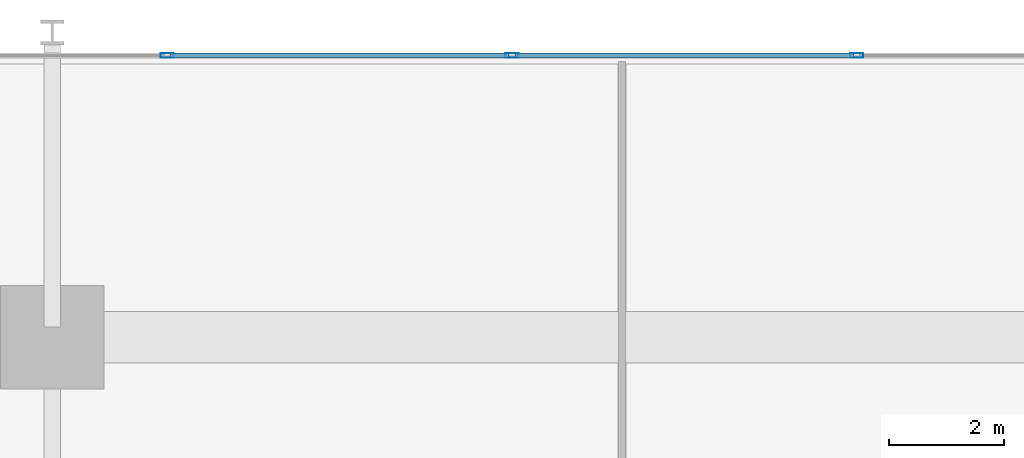
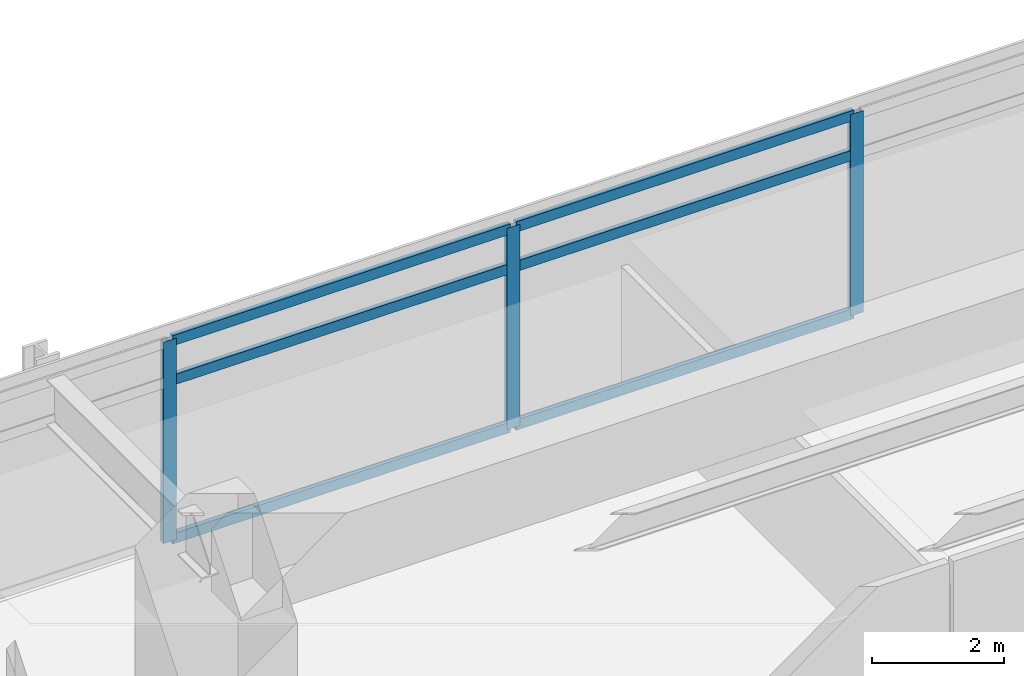
# One storey, part 10 of 21: 9 members, 1 element without a shape of its own.
"""IFC4 building model written with IfcOpenShell, lengths in metres."""

import ifcopenshell
import ifcopenshell.guid

model = None  # the IFC model being written
_history = None  # IfcOwnerHistory: only IFC2X3 demands one
_inside = {}  # id of a spatial element -> (the spatial element, [elements in it])
_under = {}  # id of a project, library or spatial element -> (it, [spatial elements below it])
_declared = {}  # id of a project -> (the project, [libraries it declares])
_typed = {}  # id of a type object -> (the type object, [elements of that type])
_made_of = {}  # id of a material, layer set ... -> (it, [elements and type objects made of it])


def new_model(schema):
    """Start an empty IFC model of exactly this schema.

    Asked for "IFC4X3", IfcOpenShell would pick the latest addendum, in which some entities
    have other attributes; the version numbers below select the first issue.
    IFC2X3 requires an IfcOwnerHistory on every rooted entity: one is made here for all.
    """
    global model, _history
    if schema == "IFC4X3":
        model = ifcopenshell.file(schema_version=(4, 3, 0, 0))
    else:
        model = ifcopenshell.file(schema=schema)
    _inside.clear()
    _under.clear()
    _declared.clear()
    _typed.clear()
    _made_of.clear()
    _history = None
    if model.schema == "IFC2X3":
        org = make("IfcOrganization", Name="unknown")
        user = make(
            "IfcPersonAndOrganization",
            ThePerson=make("IfcPerson", FamilyName="unknown"),
            TheOrganization=org,
        )
        app = make(
            "IfcApplication",
            ApplicationDeveloper=org,
            Version="unknown",
            ApplicationFullName="unknown",
            ApplicationIdentifier="unknown",
        )
        _history = make(
            "IfcOwnerHistory",
            OwningUser=user,
            OwningApplication=app,
            ChangeAction="ADDED",
            CreationDate=0,
        )
    return model


def make(cls, **values):
    """One entity of the class cls with the attributes given. An attribute that is None is left unset."""
    return model.create_entity(
        cls, **{name: value for name, value in values.items() if value is not None}
    )


def rooted(cls, **values):
    """An entity with a GlobalId (a new one), such as an element, a storey or a relation."""
    return make(cls, GlobalId=ifcopenshell.guid.new(), OwnerHistory=_history, **values)


def si_unit(unit_type, name, prefix=None):
    """IfcSIUnit, for example si_unit("LENGTHUNIT", "METRE", prefix="MILLI")."""
    return make("IfcSIUnit", UnitType=unit_type, Prefix=prefix, Name=name)


def assignment(units):
    """IfcUnitAssignment: the units of a project."""
    return None if units is None else make("IfcUnitAssignment", Units=units)


def point(xyz):
    """IfcCartesianPoint."""
    return None if xyz is None else make("IfcCartesianPoint", Coordinates=xyz)


def direction(xyz):
    """IfcDirection."""
    return None if xyz is None else make("IfcDirection", DirectionRatios=xyz)


def frame(location, z_axis=None, x_axis=None):
    """IfcAxis2Placement3D, a coordinate frame: its origin and axes. An axis left out is left unset."""
    return make(
        "IfcAxis2Placement3D",
        Location=point(location),
        Axis=direction(z_axis),
        RefDirection=direction(x_axis),
    )


def frame_2d(location, x_axis=None):
    """IfcAxis2Placement2D, a coordinate frame in the plane: its origin and x axis."""
    return make(
        "IfcAxis2Placement2D", Location=point(location), RefDirection=direction(x_axis)
    )


def origin():
    """The frame at (0, 0, 0) with its axes left unset."""
    return frame((0.0, 0.0, 0.0))


def origin_2d():
    """The frame at (0, 0) in the plane with its x axis left unset."""
    return frame_2d((0.0, 0.0))


def place(relative_to, where):
    """IfcLocalPlacement: puts the frame where relative to a parent placement (None: the world)."""
    return make(
        "IfcLocalPlacement", PlacementRelTo=relative_to, RelativePlacement=where
    )


def context(
    kind, dimensions, precision=None, world=None, true_north=None, identifier=None
):
    """IfcGeometricRepresentationContext, for example the 3D "Model" context."""
    return make(
        "IfcGeometricRepresentationContext",
        ContextIdentifier=identifier,
        ContextType=kind,
        CoordinateSpaceDimension=dimensions,
        Precision=precision,
        WorldCoordinateSystem=world,
        TrueNorth=true_north,
    )


def subcontext(parent, identifier, kind, view, scale=None):
    """IfcGeometricRepresentationSubContext, for example "Body" below "Model"."""
    return make(
        "IfcGeometricRepresentationSubContext",
        ContextIdentifier=identifier,
        ContextType=kind,
        ParentContext=parent,
        TargetScale=scale,
        TargetView=view,
    )


def project(units=None, contexts=None):
    """IfcProject with its units and contexts."""
    return rooted(
        "IfcProject",
        Name="project",
        RepresentationContexts=contexts,
        UnitsInContext=assignment(units),
    )


def spatial(cls, under=None, at=None, **own):
    """A site, building, storey or space (cls), placed at a placement, below another one or the project."""
    s = rooted(cls, ObjectPlacement=at, **own)
    if under is not None:
        _under.setdefault(under.id(), (under, []))[1].append(s)
    return s


def profile(cls, at=None, kind="AREA", **sizes):
    """A parametric profile (cls). Its sizes go by their IFC names, for example OverallWidth=200.0."""
    return make(cls, ProfileType=kind, Position=at, **sizes)


def hollow_rectangle(**sizes):
    """IfcRectangleHollowProfileDef."""
    return profile("IfcRectangleHollowProfileDef", **sizes)


def extrude(swept, where, along, depth):
    """IfcExtrudedAreaSolid: the profile swept, set in the frame where, extruded along a direction by depth."""
    return make(
        "IfcExtrudedAreaSolid",
        SweptArea=swept,
        Position=where,
        ExtrudedDirection=direction(along),
        Depth=depth,
    )


def shape(context_of_items, identifier, shape_type, items):
    """IfcShapeRepresentation: the items that make up one representation, for example the "Body"."""
    return make(
        "IfcShapeRepresentation",
        ContextOfItems=context_of_items,
        RepresentationIdentifier=identifier,
        RepresentationType=shape_type,
        Items=items,
    )


def material(Name=None, Category=None):
    """IfcMaterial."""
    return make("IfcMaterial", Name=Name, Category=Category)


def material_profile(
    of_material, cross_section, Name=None, Category=None, Priority=None
):
    """IfcMaterialProfile: a cross section and its material."""
    return make(
        "IfcMaterialProfile",
        Name=Name,
        Material=of_material,
        Profile=cross_section,
        Priority=Priority,
        Category=Category,
    )


def profile_set(profiles, Name=None, composite=None):
    """IfcMaterialProfileSet."""
    return make(
        "IfcMaterialProfileSet",
        Name=Name,
        MaterialProfiles=profiles,
        CompositeProfile=composite,
    )


def made_of(thing, what):
    """Note that an element or type object is made of a material, layer set ...; save() writes the relation."""
    if what is not None:
        _made_of.setdefault(what.id(), (what, []))[1].append(thing)
    return thing


def type_object(cls, material=None, **own):
    """A type object (cls), such as IfcWallType, which elements share."""
    return made_of(rooted(cls, **own), material)


def element(
    cls,
    number,
    at=None,
    inside=None,
    cuts=None,
    type_object=None,
    material=None,
    context=None,
    identifier="Body",
    shape_type=None,
    held_by="IfcProductDefinitionShape",
    body=None,
    shapes=None,
    **own,
):
    """One element of the class cls, such as IfcWall. Its Tag is "e" and its number.

    at: its placement. inside: the storey or other place that contains it. cuts: it is an
    opening in that element (IfcRelVoidsElement). A single representation is given by context,
    identifier, shape_type and body (its items); several are given by shapes. held_by: the class
    of the entity that holds the representations. save() writes the other relations.
    """
    e = rooted(cls, Tag="e%d" % number, ObjectPlacement=at, **own)
    if body is not None:
        shapes = [shape(context, identifier, shape_type, body)]
    if shapes is not None:
        e.Representation = make(held_by, Representations=shapes)
    if inside is not None:
        _inside.setdefault(inside.id(), (inside, []))[1].append(e)
    if cuts is not None:
        rooted(
            "IfcRelVoidsElement", RelatingBuildingElement=cuts, RelatedOpeningElement=e
        )
    if type_object is not None:
        _typed.setdefault(type_object.id(), (type_object, []))[1].append(e)
    return made_of(e, material)


def aggregate(whole, parts):
    """IfcRelAggregates: a whole, such as a stair, and the parts it consists of."""
    return rooted("IfcRelAggregates", RelatingObject=whole, RelatedObjects=parts)


def save(model, path):
    """Write the relations noted so far, then the file.

    IfcRelAggregates (storeys below a building ...), IfcRelContainedInSpatialStructure (elements
    in a storey), IfcRelDefinesByType, IfcRelAssociatesMaterial and IfcRelDeclares: one each for
    every whole, place, type object, material and project.
    """
    for whole, parts in _under.values():
        aggregate(whole, parts)
    for where, things in _inside.values():
        rooted(
            "IfcRelContainedInSpatialStructure",
            RelatedElements=things,
            RelatingStructure=where,
        )
    for kind, things in _typed.values():
        rooted("IfcRelDefinesByType", RelatedObjects=things, RelatingType=kind)
    for what, things in _made_of.values():
        rooted("IfcRelAssociatesMaterial", RelatedObjects=things, RelatingMaterial=what)
    for by, libraries in _declared.values():
        rooted("IfcRelDeclares", RelatingContext=by, RelatedDefinitions=libraries)
    model.write(path)


model = new_model("IFC4")

# Units and contexts
model_context = context("Model", 3, precision=1e-05, world=origin(), true_north=direction((0.0, 1.0)))
body_context = subcontext(model_context, "Body", "Model", "MODEL_VIEW")
ifc_project = project(units=[si_unit("LENGTHUNIT", "METRE"), si_unit("AREAUNIT", "SQUARE_METRE"), si_unit("VOLUMEUNIT", "CUBIC_METRE"), si_unit("PLANEANGLEUNIT", "RADIAN"), si_unit("MASSUNIT", "GRAM", prefix="KILO")], contexts=[model_context])

# Site, building, storey
site_placement = place(None, origin())
site = spatial("IfcSite", under=ifc_project, at=site_placement, CompositionType="ELEMENT")
building_placement = place(site_placement, origin())
building = spatial("IfcBuilding", under=site, at=building_placement, Name="Kovane Verandah Tower", CompositionType="ELEMENT")
storey_placement = place(building_placement, frame((0.0, 0.0, 27.60009765625)))
storey = spatial("IfcBuildingStorey", under=building, at=storey_placement, Name="L05", CompositionType="ELEMENT", Elevation=27.60009765625)

# Curtain wall, members
ifc_material_1 = material(Name="Champagne Anodised Aluminium Frame with Low-E Clear Laminated Glass", Category="aluminium")
curtain_wall_type = type_object("IfcCurtainWallType", Name="CW-SYS-02-LOW", PredefinedType="NOTDEFINED", material=ifc_material_1)
curtain_wall_placement = place(storey_placement, origin())
curtain_wall = element("IfcCurtainWall", 1, at=curtain_wall_placement, inside=storey, type_object=curtain_wall_type, Name="L05 N Unitised Curtain Wall", PredefinedType="NOTDEFINED")
ifc_material_2 = material(Name="Champagne Anodised Aluminium 6063-T6", Category="aluminium")
ifc_material_profile_1 = material_profile(ifc_material_2, hollow_rectangle(XDim=0.0849609375, YDim=0.22998046875, WallThickness=0.00390625, at=origin_2d()), Name="AL85x230x4")
ifc_profile_set_1 = profile_set([ifc_material_profile_1], Name="Champagne Anodised Aluminium 6063-T6")
member_type_1 = type_object("IfcMemberType", Name="CW-MUL-85x230", PredefinedType="MULLION", material=ifc_profile_set_1)
member_1_placement = place(storey_placement, frame((43.0, 49.10009765625, 0.02001953125), z_axis=(0.0, 0.0, 1.0), x_axis=(0.0, 1.0, 0.0)))
member_1 = element("IfcMember", 2, at=member_1_placement, type_object=member_type_1, Name="L05 N Unitised Curtain Wall Mullion 4", PredefinedType="MULLION", context=body_context, shape_type="SweptSolid", body=[
    extrude(hollow_rectangle(XDim=0.0849609375, YDim=0.22998046875, WallThickness=0.00390625, at=origin_2d()), origin(), (0.0, 0.0, 1.0), 3.719970703125),
])
member_2_placement = place(storey_placement, frame((37.0, 49.10009765625, 0.02001953125), z_axis=(0.0, 0.0, 1.0), x_axis=(0.0, 1.0, 0.0)))
member_2 = element("IfcMember", 3, at=member_2_placement, type_object=member_type_1, Name="L05 N Unitised Curtain Wall Mullion 5", PredefinedType="MULLION", context=body_context, shape_type="SweptSolid", body=[
    extrude(hollow_rectangle(XDim=0.0849609375, YDim=0.22998046875, WallThickness=0.00390625, at=origin_2d()), origin(), (0.0, 0.0, 1.0), 3.719970703125),
])
member_3_placement = place(storey_placement, frame((31.0, 49.10009765625, 0.02001953125), z_axis=(0.0, 0.0, 1.0), x_axis=(0.0, 1.0, 0.0)))
member_3 = element("IfcMember", 4, at=member_3_placement, type_object=member_type_1, Name="L05 N Unitised Curtain Wall Mullion 6", PredefinedType="MULLION", context=body_context, shape_type="SweptSolid", body=[
    extrude(hollow_rectangle(XDim=0.0849609375, YDim=0.22998046875, WallThickness=0.00390625, at=origin_2d()), origin(), (0.0, 0.0, 1.0), 3.719970703125),
])
ifc_material_profile_2 = material_profile(ifc_material_2, hollow_rectangle(XDim=0.0849609375, YDim=0.18994140625, WallThickness=0.00390625, at=origin_2d()), Name="AL85x190x4")
ifc_profile_set_2 = profile_set([ifc_material_profile_2], Name="Champagne Anodised Aluminium 6063-T6")
member_type_2 = type_object("IfcMemberType", Name="CW-TRN-85x190", PredefinedType="USERDEFINED", material=ifc_profile_set_2)
member_4_placement = place(storey_placement, frame((42.949951171875, 49.10009765625, 0.0498046875), z_axis=(-1.0, 0.0, 0.0), x_axis=(0.0, -1.0, 0.0)))
member_4 = element("IfcMember", 5, at=member_4_placement, type_object=member_type_2, Name="L05 N Unitised Curtain Wall Transom TB Bay 4", ObjectType="TRANSOM", PredefinedType="USERDEFINED", context=body_context, shape_type="SweptSolid", body=[
    extrude(hollow_rectangle(XDim=0.0849609375, YDim=0.18994140625, WallThickness=0.00390625, at=origin_2d()), origin(), (0.0, 0.0, 1.0), 5.89990234375),
])
member_5_placement = place(storey_placement, frame((42.949951171875, 49.10009765625, 2.97998046875), z_axis=(-1.0, 0.0, 0.0), x_axis=(0.0, -1.0, 0.0)))
member_5 = element("IfcMember", 6, at=member_5_placement, type_object=member_type_2, Name="L05 N Unitised Curtain Wall Transom TM Bay 4", ObjectType="TRANSOM", PredefinedType="USERDEFINED", context=body_context, shape_type="SweptSolid", body=[
    extrude(hollow_rectangle(XDim=0.0849609375, YDim=0.18994140625, WallThickness=0.00390625, at=origin_2d()), origin(), (0.0, 0.0, 1.0), 5.89990234375),
])
member_6_placement = place(storey_placement, frame((42.949951171875, 49.10009765625, 3.7099609375), z_axis=(-1.0, 0.0, 0.0), x_axis=(0.0, -1.0, 0.0)))
member_6 = element("IfcMember", 7, at=member_6_placement, type_object=member_type_2, Name="L05 N Unitised Curtain Wall Transom TT Bay 4", ObjectType="TRANSOM", PredefinedType="USERDEFINED", context=body_context, shape_type="SweptSolid", body=[
    extrude(hollow_rectangle(XDim=0.0849609375, YDim=0.18994140625, WallThickness=0.00390625, at=origin_2d()), origin(), (0.0, 0.0, 1.0), 5.89990234375),
])
member_7_placement = place(storey_placement, frame((36.949951171875, 49.10009765625, 0.0498046875), z_axis=(-1.0, 0.0, 0.0), x_axis=(0.0, -1.0, 0.0)))
member_7 = element("IfcMember", 8, at=member_7_placement, type_object=member_type_2, Name="L05 N Unitised Curtain Wall Transom TB Bay 5", ObjectType="TRANSOM", PredefinedType="USERDEFINED", context=body_context, shape_type="SweptSolid", body=[
    extrude(hollow_rectangle(XDim=0.0849609375, YDim=0.18994140625, WallThickness=0.00390625, at=origin_2d()), origin(), (0.0, 0.0, 1.0), 5.89990234375),
])
member_8_placement = place(storey_placement, frame((36.949951171875, 49.10009765625, 2.97998046875), z_axis=(-1.0, 0.0, 0.0), x_axis=(0.0, -1.0, 0.0)))
member_8 = element("IfcMember", 9, at=member_8_placement, type_object=member_type_2, Name="L05 N Unitised Curtain Wall Transom TM Bay 5", ObjectType="TRANSOM", PredefinedType="USERDEFINED", context=body_context, shape_type="SweptSolid", body=[
    extrude(hollow_rectangle(XDim=0.0849609375, YDim=0.18994140625, WallThickness=0.00390625, at=origin_2d()), origin(), (0.0, 0.0, 1.0), 5.89990234375),
])
member_9_placement = place(storey_placement, frame((36.949951171875, 49.10009765625, 3.7099609375), z_axis=(-1.0, 0.0, 0.0), x_axis=(0.0, -1.0, 0.0)))
member_9 = element("IfcMember", 10, at=member_9_placement, type_object=member_type_2, Name="L05 N Unitised Curtain Wall Transom TT Bay 5", ObjectType="TRANSOM", PredefinedType="USERDEFINED", context=body_context, shape_type="SweptSolid", body=[
    extrude(hollow_rectangle(XDim=0.0849609375, YDim=0.18994140625, WallThickness=0.00390625, at=origin_2d()), origin(), (0.0, 0.0, 1.0), 5.89990234375),
])
aggregate(curtain_wall, [member_1, member_2, member_3, member_4, member_5, member_6, member_7, member_8, member_9])

save(model, "model.ifc")
